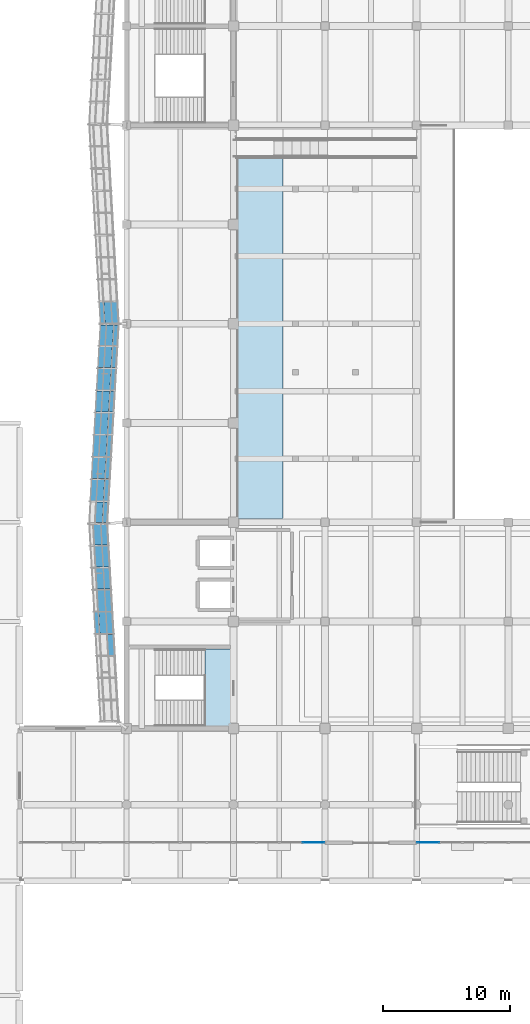
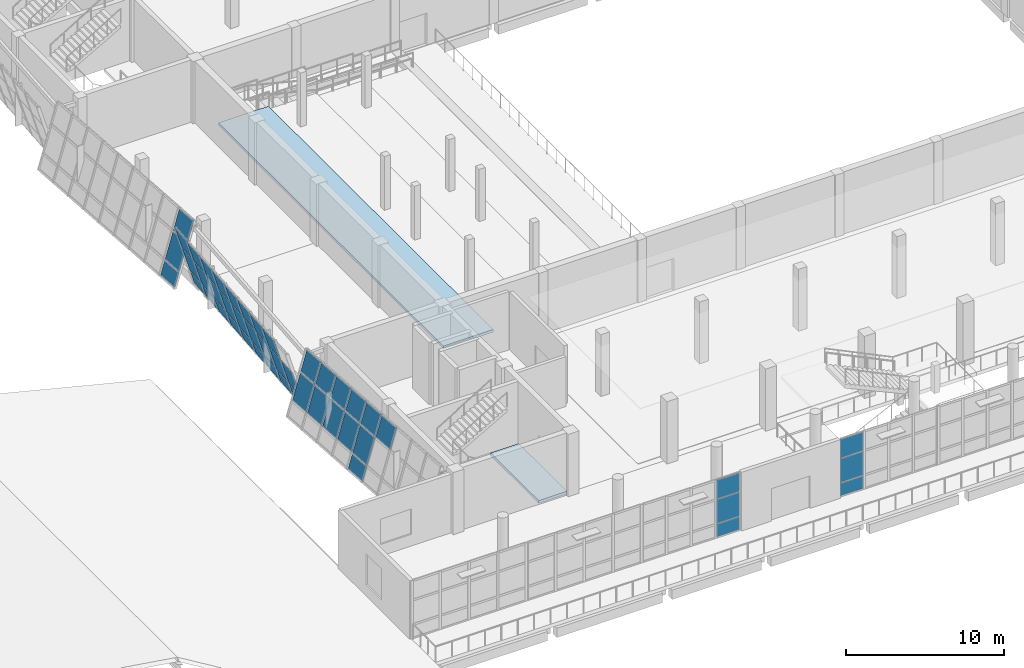
# One storey, part 49 of 79: 47 plates, 2 slabs, 6 elements without a shape of their own.
"""IFC4 building model written with IfcOpenShell, lengths in metres."""

from ifc_helpers import new_model, si_unit, direction, frame, origin, place, context, subcontext, project, spatial, polyline, outline, extrude, material, layer, layer_set, type_object, element, aggregate, save


model = new_model("IFC4")

# Units and contexts
model_context = context("Model", 3, precision=1e-05, world=origin(), true_north=direction((0.0, 1.0)))
body_context = subcontext(model_context, "Body", "Model", "MODEL_VIEW")
ifc_project = project(units=[si_unit("LENGTHUNIT", "METRE"), si_unit("AREAUNIT", "SQUARE_METRE"), si_unit("VOLUMEUNIT", "CUBIC_METRE"), si_unit("PLANEANGLEUNIT", "RADIAN"), si_unit("MASSUNIT", "GRAM", prefix="KILO")], contexts=[model_context])

# Site, building, storey
site_placement = place(None, origin())
site = spatial("IfcSite", under=ifc_project, at=site_placement, CompositionType="ELEMENT")
building_placement = place(site_placement, origin())
building = spatial("IfcBuilding", under=site, at=building_placement, Name="Pellamere Symphony Hall", CompositionType="ELEMENT")
storey_placement = place(building_placement, frame((0.0, 0.0, 10.199951171875)))
storey = spatial("IfcBuildingStorey", under=building, at=storey_placement, Name="L02", CompositionType="ELEMENT", Elevation=10.199951171875)

# Curtain wall, plates
ifc_material_1 = material(Name="Thermally Broken Anodised Aluminium 6063-T6 Curtain Wall", Category="aluminium")
curtain_wall_type_1 = type_object("IfcCurtainWallType", Name="Curtain Wall CW-01 (Tilted Faceted Crystal Low-Iron Curtain Wall)", PredefinedType="NOTDEFINED", material=ifc_material_1)
curtain_wall_1_placement = place(storey_placement, origin())
curtain_wall_1 = element("IfcCurtainWall", 1, at=curtain_wall_1_placement, inside=storey, type_object=curtain_wall_type_1, Name="Crystal Faceted Curtain Wall CW-CR18 (L02)", PredefinedType="NOTDEFINED")
ifc_material_2 = material(Name="Pre-Weathered Quartz-Zinc Faceted Cladding Cassette", Category="aluminium")
ifc_layer_1 = layer(ifc_material_2, 0.0400390625, Name="Pre-Weathered Quartz-Zinc Faceted Cladding Cassette")
ifc_layer_set_1 = layer_set([ifc_layer_1], Name="Pre-Weathered Quartz-Zinc Faceted Cladding Cassette")
plate_type_1 = type_object("IfcPlateType", Name="Facade Panel CL-01 40mm", PredefinedType="CURTAIN_PANEL", material=ifc_layer_set_1)
plate_1_placement = place(storey_placement, frame((47.784423828125, 46.025146484375, 1.18798828125), z_axis=(-0.957348500878, -0.05522055359, 0.283609834682), x_axis=(0.057585007883, -0.99834060664, 0.0)))
plate_1 = element("IfcPlate", 2, at=plate_1_placement, type_object=plate_type_1, Name="CW1-054 crystal glass panel 1.2", PredefinedType="CURTAIN_PANEL", context=body_context, shape_type="SweptSolid", body=[
    extrude(outline(polyline([(0.0, 0.0), (1.6237882534451713, 0.0), (1.6569530565692072, 2.0273346457190367), (0.03316480312403584, 2.0273346457190367), (0.0, 0.0)])), origin(), (0.0, 0.0, -1.0), 0.0400390625),
])
plate_2_placement = place(storey_placement, frame((48.381591796875, 46.025146484375, 3.2041015625), z_axis=(-0.95735525195, -0.055220942996, 0.283586969057), x_axis=(0.057585007883, -0.99834060664, 0.0)))
plate_2 = element("IfcPlate", 3, at=plate_2_placement, type_object=plate_type_1, Name="CW1-054 crystal glass panel 1.3", PredefinedType="CURTAIN_PANEL", context=body_context, shape_type="SweptSolid", body=[
    extrude(outline(polyline([(0.0, 0.0), (1.6237882534451713, 0.0), (1.6497830482634597, 1.5891665981147254), (0.02599479481828837, 1.5891665981147254), (0.0, 0.0)])), origin(), (0.0, 0.0, -1.0), 0.0400390625),
])
plate_3_placement = place(storey_placement, frame((47.88232421875, 44.329345703125, 1.18798828125), z_axis=(-0.957380265181, -0.055238896666, 0.283499016112), x_axis=(0.057602168051, -0.998339616682, 0.0)))
plate_3 = element("IfcPlate", 4, at=plate_3_placement, type_object=plate_type_1, Name="CW1-054 crystal glass panel 2.2", PredefinedType="CURTAIN_PANEL", context=body_context, shape_type="SweptSolid", body=[
    extrude(outline(polyline([(0.0, 0.0), (1.6614500501978287, 3.469446951953614e-18), (1.694610673309276, 2.0272653718407074), (0.03316062311144734, 2.0272653718407074), (0.0, 0.0)])), origin(), (0.0, 0.0, -1.0), 0.0400390625),
])
plate_4_placement = place(storey_placement, frame((48.4794921875, 44.329345703125, 3.2041015625), z_axis=(-0.957354378978, -0.055237403085, 0.283586710466), x_axis=(0.057602168051, -0.998339616682, 0.0)))
plate_4 = element("IfcPlate", 5, at=plate_4_placement, type_object=plate_type_1, Name="CW1-054 crystal glass panel 2.3", PredefinedType="CURTAIN_PANEL", context=body_context, shape_type="SweptSolid", body=[
    extrude(outline(polyline([(0.0, 0.0), (1.6614500501978287, -3.469446951953614e-18), (1.687452591390817, 1.5891664713845053), (0.02600254119298818, 1.5891664713845053), (0.0, 0.0)])), origin(), (0.0, 0.0, -1.0), 0.0400390625),
])
plate_5_placement = place(storey_placement, frame((47.982177734375, 42.595947265625, 1.18798828125), z_axis=(-0.957347197893, -0.055245120208, 0.283609448679), x_axis=(0.057610619545, -0.998339129012, 0.0)))
plate_5 = element("IfcPlate", 6, at=plate_5_placement, type_object=plate_type_1, Name="CW1-054 crystal glass panel 3.2", PredefinedType="CURTAIN_PANEL", context=body_context, shape_type="SweptSolid", body=[
    extrude(outline(polyline([(0.0, 0.0), (1.6612063149993754, 6.938893903907228e-18), (1.6943858685901516, 2.0273344043651265), (0.03317955359077607, 2.0273344043651265), (0.0, 0.0)])), origin(), (0.0, 0.0, -1.0), 0.0400390625),
])
plate_6_placement = place(storey_placement, frame((48.579345703125, 42.595947265625, 3.2041015625), z_axis=(-0.957353948937, -0.055245509787, 0.28358658308), x_axis=(0.057610619545, -0.998339129012, 0.0)))
plate_6 = element("IfcPlate", 7, at=plate_6_placement, type_object=plate_type_1, Name="CW1-054 crystal glass panel 3.3", PredefinedType="CURTAIN_PANEL", context=body_context, shape_type="SweptSolid", body=[
    extrude(outline(polyline([(0.0, 0.0), (1.6612063149993754, 0.0), (1.68721267133229, 1.5891664089551663), (0.02600635633291435, 1.5891664089551663), (0.0, 0.0)])), origin(), (0.0, 0.0, -1.0), 0.0400390625),
])
plate_7_placement = place(storey_placement, frame((48.082275390625, 40.862548828125, 1.18798828125), z_axis=(-0.957367242492, -0.055175809721, 0.283555273316), x_axis=(0.057543268756, -0.998343013109, 1.9948157e-05)))
plate_7 = element("IfcPlate", 8, at=plate_7_placement, type_object=plate_type_1, Name="CW1-054 crystal glass panel 4.2", PredefinedType="CURTAIN_PANEL", context=body_context, shape_type="SweptSolid", body=[
    extrude(outline(polyline([(0.0, 0.0), (1.661206310888601, 0.0), (1.6943718076903342, 2.027265288745848), (0.033179545451331935, 2.027334401129952), (0.0, 0.0)])), origin(), (0.0, 0.0, -1.0), 0.0400390625),
])
plate_8_placement = place(storey_placement, frame((48.679443359375, 40.862548828125, 3.2041015625), z_axis=(-0.957353948937, -0.055245509787, 0.28358658308), x_axis=(0.057610619545, -0.998339129012, 0.0)))
plate_8 = element("IfcPlate", 9, at=plate_8_placement, type_object=plate_type_1, Name="CW1-054 crystal glass panel 4.3", PredefinedType="CURTAIN_PANEL", context=body_context, shape_type="SweptSolid", body=[
    extrude(outline(polyline([(0.0, 0.0), (1.6612063149993754, 0.0), (1.68721267133229, 1.5891664089551663), (0.02600635633291435, 1.5891664089551663), (0.0, 0.0)])), origin(), (0.0, 0.0, -1.0), 0.0400390625),
])
plate_9_placement = place(storey_placement, frame((47.8515625, 39.129150390625, 0.072021484375), z_axis=(-0.957349655397, -0.055245262022, 0.283601125412), x_axis=(0.057610619545, -0.998339129012, 0.0)))
plate_9 = element("IfcPlate", 10, at=plate_9_placement, type_object=plate_type_1, Name="CW1-054 crystal glass panel 5.1", PredefinedType="CURTAIN_PANEL", context=body_context, shape_type="SweptSolid", body=[
    extrude(outline(polyline([(0.0, 0.0), (1.6612063149993754, 3.469446951953614e-18), (1.67902678740273, 1.0888970223981924), (0.017820472403354506, 1.0888970223981924), (0.0, 0.0)])), origin(), (0.0, 0.0, -1.0), 0.0400390625),
])
plate_10_placement = place(storey_placement, frame((48.18212890625, 39.129150390625, 1.18798828125), z_axis=(-0.957347197893, -0.055245120208, 0.283609448679), x_axis=(0.057610619545, -0.998339129012, 0.0)))
plate_10 = element("IfcPlate", 11, at=plate_10_placement, type_object=plate_type_1, Name="CW1-054 crystal glass panel 5.2", PredefinedType="CURTAIN_PANEL", context=body_context, shape_type="SweptSolid", body=[
    extrude(outline(polyline([(0.0, 0.0), (1.6612063149993754, 6.938893903907228e-18), (1.6943858685901516, 2.0273344043651265), (0.03317955359077607, 2.0273344043651265), (0.0, 0.0)])), origin(), (0.0, 0.0, -1.0), 0.0400390625),
])
plate_11_placement = place(storey_placement, frame((48.779296875, 39.129150390625, 3.2041015625), z_axis=(-0.957312300753, -0.055243106418, 0.283727612367), x_axis=(0.057610619545, -0.998339129012, 0.0)))
plate_11 = element("IfcPlate", 12, at=plate_11_placement, type_object=plate_type_1, Name="CW1-054 crystal glass panel 5.3", PredefinedType="CURTAIN_PANEL", context=body_context, shape_type="SweptSolid", body=[
    extrude(outline(polyline([(0.0, 0.0), (1.6612063149993754, -3.469446951953614e-18), (1.6872267364249525, 1.5892355461576588), (0.026020421425576826, 1.5892355461576588), (0.0, 0.0)])), origin(), (0.0, 0.0, -1.0), 0.0400390625),
])
plate_12_placement = place(storey_placement, frame((48.87939453125, 37.39599609375, 3.2041015625), z_axis=(-0.957353948937, -0.055245509787, 0.28358658308), x_axis=(0.057610619545, -0.998339129012, 0.0)))
plate_12 = element("IfcPlate", 13, at=plate_12_placement, type_object=plate_type_1, Name="CW1-054 crystal glass panel 6.3", PredefinedType="CURTAIN_PANEL", context=body_context, shape_type="SweptSolid", body=[
    extrude(outline(polyline([(0.0, 0.0), (1.6612063149993754, 0.0), (1.68721267133229, 1.5891664089551663), (0.02600635633291435, 1.5891664089551663), (0.0, 0.0)])), origin(), (0.0, 0.0, -1.0), 0.0400390625),
])
aggregate(curtain_wall_1, [plate_1, plate_2, plate_3, plate_4, plate_5, plate_6, plate_7, plate_8, plate_9, plate_10, plate_11, plate_12])

curtain_wall_type_2 = type_object("IfcCurtainWallType", Name="Curtain Wall CW-02 (Winter-Garden South Concourse Curtain Wall)", PredefinedType="NOTDEFINED", material=ifc_material_1)
curtain_wall_2_placement = place(storey_placement, origin())
curtain_wall_2 = element("IfcCurtainWall", 14, at=curtain_wall_2_placement, inside=storey, type_object=curtain_wall_type_2, Name="Winter-Garden South Curtain Wall (L02 Bay 5)", PredefinedType="NOTDEFINED")
ifc_material_3 = material(Name="Triple Low-E Argon Acoustic Glazing 36mm", Category="glass")
ifc_layer_2 = layer(ifc_material_3, 0.035888671875, Name="Triple Low-E Argon Acoustic Glazing 36mm")
ifc_layer_set_2 = layer_set([ifc_layer_2], Name="Triple Low-E Argon Acoustic Glazing 36mm")
plate_type_2 = type_object("IfcPlateType", Name="Facade Panel GL-01 36mm", PredefinedType="CURTAIN_PANEL", material=ifc_layer_set_2)
plate_13_placement = place(storey_placement, frame((73.264892578125, 21.0, 0.06494140625), z_axis=(0.0, -1.0, 0.0), x_axis=(1.0, 0.0, 0.0)))
plate_13 = element("IfcPlate", 15, at=plate_13_placement, type_object=plate_type_2, Name="CW2-080 crystal glass panel 1.1", PredefinedType="CURTAIN_PANEL", context=body_context, shape_type="SweptSolid", body=[
    extrude(outline(polyline([(0.0, 0.0), (1.70263671875, 0.0), (1.70263671875, 0.982666015625), (0.0, 0.982666015625), (0.0, 0.0)])), origin(), (0.0, 0.0, -1.0), 0.035888671875),
])
plate_14_placement = place(storey_placement, frame((73.264892578125, 21.0, 1.112548828125), z_axis=(0.0, -1.0, 0.0), x_axis=(1.0, 0.0, 0.0)))
plate_14 = element("IfcPlate", 16, at=plate_14_placement, type_object=plate_type_2, Name="CW2-080 crystal glass panel 1.2", PredefinedType="CURTAIN_PANEL", context=body_context, shape_type="SweptSolid", body=[
    extrude(outline(polyline([(0.0, 0.0), (1.70263671875, 0.0), (1.70263671875, 1.824951171875), (0.0, 1.824951171875), (0.0, 0.0)])), origin(), (0.0, 0.0, -1.0), 0.035888671875),
])
plate_15_placement = place(storey_placement, frame((73.264892578125, 21.0, 3.00244140625), z_axis=(0.0, -1.0, 0.0), x_axis=(1.0, 0.0, 0.0)))
plate_15 = element("IfcPlate", 17, at=plate_15_placement, type_object=plate_type_2, Name="CW2-080 crystal glass panel 1.3", PredefinedType="CURTAIN_PANEL", context=body_context, shape_type="SweptSolid", body=[
    extrude(outline(polyline([(0.0, 0.0), (1.70263671875, 0.0), (1.70263671875, 1.4326171875), (0.0, 1.4326171875), (0.0, 0.0)])), origin(), (0.0, 0.0, -1.0), 0.035888671875),
])
aggregate(curtain_wall_2, [plate_13, plate_14, plate_15])

curtain_wall_3_placement = place(storey_placement, origin())
curtain_wall_3 = element("IfcCurtainWall", 18, at=curtain_wall_3_placement, inside=storey, type_object=curtain_wall_type_1, Name="Crystal Faceted Curtain Wall CW-CR16 (L02)", PredefinedType="NOTDEFINED")
ifc_material_4 = material(Name="Triple Laminated Acoustic Crystal Glazing 42mm", Category="glass")
ifc_layer_3 = layer(ifc_material_4, 0.0419921875, Name="Triple Laminated Acoustic Crystal Glazing 42mm")
ifc_layer_set_3 = layer_set([ifc_layer_3], Name="Triple Laminated Acoustic Crystal Glazing 42mm")
plate_type_3 = type_object("IfcPlateType", Name="Facade Panel GL-02 42mm", PredefinedType="CURTAIN_PANEL", material=ifc_layer_set_3)
plate_16_placement = place(storey_placement, frame((48.251708984375, 63.507080078125, 0.072021484375), z_axis=(-0.957370974675, -0.054841920924, 0.283607440943), x_axis=(0.057190120561, -0.998363305671, 0.0)))
plate_16 = element("IfcPlate", 19, at=plate_16_placement, type_object=plate_type_3, Name="CW1-044 crystal glass panel 9.1", PredefinedType="CURTAIN_PANEL", context=body_context, shape_type="SweptSolid", body=[
    extrude(outline(polyline([(0.0, 0.0), (1.6350002143288105, 0.0), (1.652690615391066, 1.088899143325306), (0.017690401062255792, 1.088899143325306), (0.0, 0.0)])), origin(), (0.0, 0.0, -1.0), 0.0419921875),
])
plate_17_placement = place(storey_placement, frame((48.582275390625, 63.507080078125, 1.18798828125), z_axis=(-0.957368517007, -0.05484178014, 0.283615764363), x_axis=(0.057190120561, -0.998363305671, 0.0)))
plate_17 = element("IfcPlate", 20, at=plate_17_placement, type_object=plate_type_3, Name="CW1-044 crystal glass panel 9.2", PredefinedType="CURTAIN_PANEL", context=body_context, shape_type="SweptSolid", body=[
    extrude(outline(polyline([(0.0, 0.0), (1.6350002143288105, 0.0), (1.667937590892237, 2.0273383533895144), (0.03293737656342653, 2.0273383533895144), (0.0, 0.0)])), origin(), (0.0, 0.0, -1.0), 0.0419921875),
])
plate_18_placement = place(storey_placement, frame((49.179443359375, 63.507080078125, 3.2041015625), z_axis=(-0.957375268502, -0.054842166891, 0.283592898344), x_axis=(0.057190120561, -0.998363305671, 0.0)))
plate_18 = element("IfcPlate", 21, at=plate_18_placement, type_object=plate_type_3, Name="CW1-044 crystal glass panel 9.3", PredefinedType="CURTAIN_PANEL", context=body_context, shape_type="SweptSolid", body=[
    extrude(outline(polyline([(0.0, 0.0), (1.6350002143288105, 0.0), (1.6608167506856462, 1.5891695039773792), (0.0258165363568358, 1.5891695039773792), (0.0, 0.0)])), origin(), (0.0, 0.0, -1.0), 0.0419921875),
])
aggregate(curtain_wall_3, [plate_16, plate_17, plate_18])

curtain_wall_4_placement = place(storey_placement, origin())
curtain_wall_4 = element("IfcCurtainWall", 22, at=curtain_wall_4_placement, inside=storey, type_object=curtain_wall_type_1, Name="Crystal Faceted Curtain Wall CW-CR17 (L02)", PredefinedType="NOTDEFINED")
plate_19_placement = place(storey_placement, frame((49.724365234375, 61.72509765625, 0.072021484375), z_axis=(0.957370543914, -0.054850099973, 0.283607313336), x_axis=(-0.057198647566, -0.998362817175, 0.0)))
plate_19 = element("IfcPlate", 23, at=plate_19_placement, type_object=plate_type_3, Name="CW1-049 crystal glass panel 1.1", PredefinedType="CURTAIN_PANEL", context=body_context, shape_type="SweptSolid", body=[
    extrude(outline(polyline([(0.0, 0.0), (1.6347564733470132, 3.469446951953614e-18), (1.652449512034991, -1.0888991004708903), (0.01769303868797779, -1.0888991004708903), (0.0, 0.0)])), origin(), (0.0, 0.0, -1.0), 0.0419921875),
])
plate_20_placement = place(storey_placement, frame((49.393798828125, 61.72509765625, 1.18798828125), z_axis=(0.957368086249, -0.054849959167, 0.283615636753), x_axis=(-0.057198647566, -0.998362817175, 0.0)))
plate_20 = element("IfcPlate", 24, at=plate_20_placement, type_object=plate_type_3, Name="CW1-049 crystal glass panel 1.2", PredefinedType="CURTAIN_PANEL", context=body_context, shape_type="SweptSolid", body=[
    extrude(outline(polyline([(0.0, 0.0), (1.6347564733470132, 0.0), (1.6676987608489386, -2.027338273597459), (0.032942287501925495, -2.027338273597459), (0.0, 0.0)])), origin(), (0.0, 0.0, -1.0), 0.0419921875),
])
plate_21_placement = place(storey_placement, frame((48.796630859375, 61.72509765625, 3.2041015625), z_axis=(0.957374837735, -0.054850345976, 0.283592770742), x_axis=(-0.057198647566, -0.998362817175, 0.0)))
plate_21 = element("IfcPlate", 25, at=plate_21_placement, type_object=plate_type_3, Name="CW1-049 crystal glass panel 1.3", PredefinedType="CURTAIN_PANEL", context=body_context, shape_type="SweptSolid", body=[
    extrude(outline(polyline([(0.0, 0.0), (1.6347564733470132, 3.469446951953614e-18), (1.6605768589303367, -1.5891694414408748), (0.025820385583323543, -1.5891694414408748), (0.0, 0.0)])), origin(), (0.0, 0.0, -1.0), 0.0419921875),
])
plate_22_placement = place(storey_placement, frame((49.62646484375, 60.01806640625, 0.072021484375), z_axis=(0.95742957948, -0.05488628183, 0.283400946369), x_axis=(-0.057232737422, -0.998360863499, 0.0)))
plate_22 = element("IfcPlate", 26, at=plate_22_placement, type_object=plate_type_3, Name="CW1-049 crystal glass panel 2.1", PredefinedType="CURTAIN_PANEL", context=body_context, shape_type="SweptSolid", body=[
    extrude(outline(polyline([(0.0, 0.0), (1.6721745160346768, 0.0), (1.6898641267710717, -1.0888298277192388), (0.017689610736394717, -1.0888298277192388), (0.0, 0.0)])), origin(), (0.0, 0.0, -1.0), 0.0419921875),
])
plate_23_placement = place(storey_placement, frame((49.2958984375, 60.01806640625, 1.18798828125), z_axis=(0.957399002665, -0.054884528962, 0.283504564647), x_axis=(-0.057232737422, -0.998360863499, 0.0)))
plate_23 = element("IfcPlate", 27, at=plate_23_placement, type_object=plate_type_3, Name="CW1-049 crystal glass panel 2.2", PredefinedType="CURTAIN_PANEL", context=body_context, shape_type="SweptSolid", body=[
    extrude(outline(polyline([(0.0, 0.0), (1.6721745160346768, 0.0), (1.7051224639939333, -2.0272688394771072), (0.03294794795925651, -2.0272688394771072), (0.0, 0.0)])), origin(), (0.0, 0.0, -1.0), 0.0419921875),
])
plate_24_placement = place(storey_placement, frame((48.69873046875, 60.01806640625, 3.2041015625), z_axis=(0.957373114942, -0.054883044905, 0.283592260418), x_axis=(-0.057232737422, -0.998360863499, 0.0)))
plate_24 = element("IfcPlate", 28, at=plate_24_placement, type_object=plate_type_3, Name="CW1-049 crystal glass panel 2.3", PredefinedType="CURTAIN_PANEL", context=body_context, shape_type="SweptSolid", body=[
    extrude(outline(polyline([(0.0, 0.0), (1.6721745160346768, -3.469446951953614e-18), (1.6980102903250354, -1.5891691913348909), (0.025835774290358476, -1.5891691913348909), (0.0, 0.0)])), origin(), (0.0, 0.0, -1.0), 0.0419921875),
])
plate_25_placement = place(storey_placement, frame((49.526611328125, 58.273681640625, 0.072021484375), z_axis=(0.95736924277, -0.054874797948, 0.283606927891), x_axis=(-0.057224396245, -0.998361341637, 0.0)))
plate_25 = element("IfcPlate", 29, at=plate_25_placement, type_object=plate_type_3, Name="CW1-049 crystal glass panel 3.1", PredefinedType="CURTAIN_PANEL", context=body_context, shape_type="SweptSolid", body=[
    extrude(outline(polyline([(0.0, 0.0), (1.6724182565382377, 3.469446951953614e-18), (1.6901192599666512, -1.0888989710262178), (0.01770100342841346, -1.0888989710262178), (0.0, 0.0)])), origin(), (0.0, 0.0, -1.0), 0.0419921875),
])
plate_26_placement = place(storey_placement, frame((49.196044921875, 58.273681640625, 1.18798828125), z_axis=(0.957366785115, -0.054874657079, 0.283615251298), x_axis=(-0.057224396245, -0.998361341637, 0.0)))
plate_26 = element("IfcPlate", 30, at=plate_26_placement, type_object=plate_type_3, Name="CW1-049 crystal glass panel 3.2", PredefinedType="CURTAIN_PANEL", context=body_context, shape_type="SweptSolid", body=[
    extrude(outline(polyline([(0.0, 0.0), (1.6724182565382377, -3.469446951953614e-18), (1.7053753734187647, -2.0273380325801393), (0.03295711688052672, -2.0273380325801393), (0.0, 0.0)])), origin(), (0.0, 0.0, -1.0), 0.0419921875),
])
plate_27_placement = place(storey_placement, frame((48.598876953125, 58.273681640625, 3.2041015625), z_axis=(0.957373536574, -0.054875044062, 0.283592385313), x_axis=(-0.057224396245, -0.998361341637, 0.0)))
plate_27 = element("IfcPlate", 31, at=plate_27_placement, type_object=plate_type_3, Name="CW1-049 crystal glass panel 3.3", PredefinedType="CURTAIN_PANEL", context=body_context, shape_type="SweptSolid", body=[
    extrude(outline(polyline([(0.0, 0.0), (1.6724182565382377, 0.0), (1.6982502654878324, -1.5891692525451158), (0.025832008949594705, -1.5891692525451158), (0.0, 0.0)])), origin(), (0.0, 0.0, -1.0), 0.0419921875),
])
plate_28_placement = place(storey_placement, frame((49.426513671875, 56.529296875, 0.072021484375), z_axis=(0.95736924277, -0.054874797948, 0.283606927891), x_axis=(-0.057224396245, -0.998361341637, 0.0)))
plate_28 = element("IfcPlate", 32, at=plate_28_placement, type_object=plate_type_3, Name="CW1-049 crystal glass panel 4.1", PredefinedType="CURTAIN_PANEL", context=body_context, shape_type="SweptSolid", body=[
    extrude(outline(polyline([(0.0, 0.0), (1.6724182565382377, 3.469446951953614e-18), (1.6901192599666512, -1.0888989710262178), (0.01770100342841346, -1.0888989710262178), (0.0, 0.0)])), origin(), (0.0, 0.0, -1.0), 0.0419921875),
])
plate_29_placement = place(storey_placement, frame((49.095947265625, 56.529296875, 1.18798828125), z_axis=(0.957366785115, -0.054874657079, 0.283615251298), x_axis=(-0.057224396245, -0.998361341637, 0.0)))
plate_29 = element("IfcPlate", 33, at=plate_29_placement, type_object=plate_type_3, Name="CW1-049 crystal glass panel 4.2", PredefinedType="CURTAIN_PANEL", context=body_context, shape_type="SweptSolid", body=[
    extrude(outline(polyline([(0.0, 0.0), (1.6724182565382377, -3.469446951953614e-18), (1.7053753734187647, -2.0273380325801393), (0.03295711688052672, -2.0273380325801393), (0.0, 0.0)])), origin(), (0.0, 0.0, -1.0), 0.0419921875),
])
plate_30_placement = place(storey_placement, frame((48.498779296875, 56.529296875, 3.2041015625), z_axis=(0.957373536574, -0.054875044062, 0.283592385313), x_axis=(-0.057224396245, -0.998361341637, 0.0)))
plate_30 = element("IfcPlate", 34, at=plate_30_placement, type_object=plate_type_3, Name="CW1-049 crystal glass panel 4.3", PredefinedType="CURTAIN_PANEL", context=body_context, shape_type="SweptSolid", body=[
    extrude(outline(polyline([(0.0, 0.0), (1.6724182565382377, 0.0), (1.6982502654878324, -1.5891692525451158), (0.025832008949594705, -1.5891692525451158), (0.0, 0.0)])), origin(), (0.0, 0.0, -1.0), 0.0419921875),
])
plate_31_placement = place(storey_placement, frame((49.32666015625, 54.78466796875, 0.072021484375), z_axis=(0.957368821144, -0.054882798755, 0.28360680299), x_axis=(-0.057232737422, -0.998360863499, 0.0)))
plate_31 = element("IfcPlate", 35, at=plate_31_placement, type_object=plate_type_3, Name="CW1-049 crystal glass panel 5.1", PredefinedType="CURTAIN_PANEL", context=body_context, shape_type="SweptSolid", body=[
    extrude(outline(polyline([(0.0, 0.0), (1.6721745160346768, -3.469446951953614e-18), (1.6898780996073564, -1.0888989290806625), (0.01770358357267939, -1.0888989290806625), (0.0, 0.0)])), origin(), (0.0, 0.0, -1.0), 0.0419921875),
])
plate_32_placement = place(storey_placement, frame((48.995849609375, 54.78466796875, 1.18798828125), z_axis=(0.957399002665, -0.054884528962, 0.283504564647), x_axis=(-0.057232737422, -0.998360863499, 0.0)))
plate_32 = element("IfcPlate", 36, at=plate_32_placement, type_object=plate_type_3, Name="CW1-049 crystal glass panel 5.2", PredefinedType="CURTAIN_PANEL", context=body_context, shape_type="SweptSolid", body=[
    extrude(outline(polyline([(0.0, 0.0), (1.6721745160346768, 0.0), (1.7051224639939333, -2.0272688394771072), (0.03294794795925651, -2.0272688394771072), (0.0, 0.0)])), origin(), (0.0, 0.0, -1.0), 0.0419921875),
])
plate_33_placement = place(storey_placement, frame((48.39892578125, 54.78466796875, 3.2041015625), z_axis=(0.957331464257, -0.054880657208, 0.283733292034), x_axis=(-0.057232737422, -0.998360863499, 0.0)))
plate_33 = element("IfcPlate", 37, at=plate_33_placement, type_object=plate_type_3, Name="CW1-049 crystal glass panel 5.3", PredefinedType="CURTAIN_PANEL", context=body_context, shape_type="SweptSolid", body=[
    extrude(outline(polyline([(0.0, 0.0), (1.6721745160346768, 3.469446951953614e-18), (1.69802426316132, -1.589238331426626), (0.02584974712664315, -1.589238331426626), (0.0, 0.0)])), origin(), (0.0, 0.0, -1.0), 0.0419921875),
])
plate_34_placement = place(storey_placement, frame((49.2265625, 53.040283203125, 0.072021484375), z_axis=(0.957368821144, -0.054882798755, 0.28360680299), x_axis=(-0.057232737422, -0.998360863499, 0.0)))
plate_34 = element("IfcPlate", 38, at=plate_34_placement, type_object=plate_type_3, Name="CW1-049 crystal glass panel 6.1", PredefinedType="CURTAIN_PANEL", context=body_context, shape_type="SweptSolid", body=[
    extrude(outline(polyline([(0.0, 0.0), (1.6721745160346768, -3.469446951953614e-18), (1.6898780996073564, -1.0888989290806625), (0.01770358357267939, -1.0888989290806625), (0.0, 0.0)])), origin(), (0.0, 0.0, -1.0), 0.0419921875),
])
plate_35_placement = place(storey_placement, frame((48.89599609375, 53.040283203125, 1.18798828125), z_axis=(0.957366363492, -0.054882657866, 0.283615126394), x_axis=(-0.057232737422, -0.998360863499, 0.0)))
plate_35 = element("IfcPlate", 39, at=plate_35_placement, type_object=plate_type_3, Name="CW1-049 crystal glass panel 6.2", PredefinedType="CURTAIN_PANEL", context=body_context, shape_type="SweptSolid", body=[
    extrude(outline(polyline([(0.0, 0.0), (1.6721745160346768, 0.0), (1.705136436830218, -2.027337954480322), (0.03296192079554119, -2.027337954480322), (0.0, 0.0)])), origin(), (0.0, 0.0, -1.0), 0.0419921875),
])
plate_36_placement = place(storey_placement, frame((48.298828125, 53.040283203125, 3.2041015625), z_axis=(0.957373114942, -0.054883044905, 0.283592260418), x_axis=(-0.057232737422, -0.998360863499, 0.0)))
plate_36 = element("IfcPlate", 40, at=plate_36_placement, type_object=plate_type_3, Name="CW1-049 crystal glass panel 6.3", PredefinedType="CURTAIN_PANEL", context=body_context, shape_type="SweptSolid", body=[
    extrude(outline(polyline([(0.0, 0.0), (1.6721745160346768, -3.469446951953614e-18), (1.6980102903250354, -1.5891691913348909), (0.025835774290358476, -1.5891691913348909), (0.0, 0.0)])), origin(), (0.0, 0.0, -1.0), 0.0419921875),
])
plate_37_placement = place(storey_placement, frame((49.12646484375, 51.2958984375, 0.072021484375), z_axis=(0.957430001187, -0.054878280518, 0.283401071195), x_axis=(-0.057224396245, -0.998361341637, 0.0)))
plate_37 = element("IfcPlate", 41, at=plate_37_placement, type_object=plate_type_3, Name="CW1-049 crystal glass panel 7.1", PredefinedType="CURTAIN_PANEL", context=body_context, shape_type="SweptSolid", body=[
    extrude(outline(polyline([(0.0, 0.0), (1.6724182565382377, 0.0), (1.6901052891667867, -1.0888298696012657), (0.01768703262854889, -1.0888298696012657), (0.0, 0.0)])), origin(), (0.0, 0.0, -1.0), 0.0419921875),
])
plate_38_placement = place(storey_placement, frame((48.7958984375, 51.2958984375, 1.18798828125), z_axis=(0.957399424332, -0.054876527904, 0.283504689511), x_axis=(-0.057224396245, -0.998361341637, 0.0)))
plate_38 = element("IfcPlate", 42, at=plate_38_placement, type_object=plate_type_3, Name="CW1-049 crystal glass panel 7.2", PredefinedType="CURTAIN_PANEL", context=body_context, shape_type="SweptSolid", body=[
    extrude(outline(polyline([(0.0, 0.0), (1.6724182565382377, 3.469446951953614e-18), (1.7053614026189, -2.0272689175133847), (0.03294314608066215, -2.0272689175133847), (0.0, 0.0)])), origin(), (0.0, 0.0, -1.0), 0.0419921875),
])
plate_39_placement = place(storey_placement, frame((48.19873046875, 51.2958984375, 3.2041015625), z_axis=(0.957373536574, -0.054875044062, 0.283592385313), x_axis=(-0.057224396245, -0.998361341637, 0.0)))
plate_39 = element("IfcPlate", 43, at=plate_39_placement, type_object=plate_type_3, Name="CW1-049 crystal glass panel 7.3", PredefinedType="CURTAIN_PANEL", context=body_context, shape_type="SweptSolid", body=[
    extrude(outline(polyline([(0.0, 0.0), (1.6724182565382377, 0.0), (1.6982502654878324, -1.5891692525451158), (0.025832008949594705, -1.5891692525451158), (0.0, 0.0)])), origin(), (0.0, 0.0, -1.0), 0.0419921875),
])
plate_40_placement = place(storey_placement, frame((49.026611328125, 49.551513671875, 0.072021484375), z_axis=(0.95736924277, -0.054874797948, 0.283606927891), x_axis=(-0.057224396245, -0.998361341637, 0.0)))
plate_40 = element("IfcPlate", 44, at=plate_40_placement, type_object=plate_type_3, Name="CW1-049 crystal glass panel 8.1", PredefinedType="CURTAIN_PANEL", context=body_context, shape_type="SweptSolid", body=[
    extrude(outline(polyline([(0.0, 0.0), (1.6724182565382377, 3.469446951953614e-18), (1.6901192599666512, -1.0888989710262178), (0.01770100342841346, -1.0888989710262178), (0.0, 0.0)])), origin(), (0.0, 0.0, -1.0), 0.0419921875),
])
plate_41_placement = place(storey_placement, frame((48.696044921875, 49.551513671875, 1.18798828125), z_axis=(0.957366785115, -0.054874657079, 0.283615251298), x_axis=(-0.057224396245, -0.998361341637, 0.0)))
plate_41 = element("IfcPlate", 45, at=plate_41_placement, type_object=plate_type_3, Name="CW1-049 crystal glass panel 8.2", PredefinedType="CURTAIN_PANEL", context=body_context, shape_type="SweptSolid", body=[
    extrude(outline(polyline([(0.0, 0.0), (1.6724182565382377, -3.469446951953614e-18), (1.7053753734187647, -2.0273380325801393), (0.03295711688052672, -2.0273380325801393), (0.0, 0.0)])), origin(), (0.0, 0.0, -1.0), 0.0419921875),
])
plate_42_placement = place(storey_placement, frame((48.098876953125, 49.551513671875, 3.2041015625), z_axis=(0.957373536574, -0.054875044062, 0.283592385313), x_axis=(-0.057224396245, -0.998361341637, 0.0)))
plate_42 = element("IfcPlate", 46, at=plate_42_placement, type_object=plate_type_3, Name="CW1-049 crystal glass panel 8.3", PredefinedType="CURTAIN_PANEL", context=body_context, shape_type="SweptSolid", body=[
    extrude(outline(polyline([(0.0, 0.0), (1.6724182565382377, 0.0), (1.6982502654878324, -1.5891692525451158), (0.025832008949594705, -1.5891692525451158), (0.0, 0.0)])), origin(), (0.0, 0.0, -1.0), 0.0419921875),
])
plate_43_placement = place(storey_placement, frame((48.926513671875, 47.806884765625, 0.072021484375), z_axis=(0.957370543914, -0.054850099973, 0.283607313336), x_axis=(-0.057198647566, -0.998362817175, 0.0)))
plate_43 = element("IfcPlate", 47, at=plate_43_placement, type_object=plate_type_3, Name="CW1-049 crystal glass panel 9.1", PredefinedType="CURTAIN_PANEL", context=body_context, shape_type="SweptSolid", body=[
    extrude(outline(polyline([(0.0, 0.0), (1.6347564733470132, 3.469446951953614e-18), (1.652449512034991, -1.0888991004708903), (0.01769303868797779, -1.0888991004708903), (0.0, 0.0)])), origin(), (0.0, 0.0, -1.0), 0.0419921875),
])
plate_44_placement = place(storey_placement, frame((48.595947265625, 47.806884765625, 1.18798828125), z_axis=(0.957368086249, -0.054849959167, 0.283615636753), x_axis=(-0.057198647566, -0.998362817175, 0.0)))
plate_44 = element("IfcPlate", 48, at=plate_44_placement, type_object=plate_type_3, Name="CW1-049 crystal glass panel 9.2", PredefinedType="CURTAIN_PANEL", context=body_context, shape_type="SweptSolid", body=[
    extrude(outline(polyline([(0.0, 0.0), (1.6347564733470132, 0.0), (1.6676987608489386, -2.027338273597459), (0.032942287501925495, -2.027338273597459), (0.0, 0.0)])), origin(), (0.0, 0.0, -1.0), 0.0419921875),
])
aggregate(curtain_wall_4, [plate_19, plate_20, plate_21, plate_22, plate_23, plate_24, plate_25, plate_26, plate_27, plate_28, plate_29, plate_30, plate_31, plate_32, plate_33, plate_34, plate_35, plate_36, plate_37, plate_38, plate_39, plate_40, plate_41, plate_42, plate_43, plate_44])

curtain_wall_5_placement = place(storey_placement, origin())
curtain_wall_5 = element("IfcCurtainWall", 49, at=curtain_wall_5_placement, inside=storey, type_object=curtain_wall_type_2, Name="Winter-Garden South Curtain Wall (L02 Bay 3)", PredefinedType="NOTDEFINED")
ifc_material_5 = material(Name="Mineral-Wool Insulated Dark Zinc Spandrel Panel", Category="aluminium")
ifc_layer_4 = layer(ifc_material_5, 0.054931640625, Name="Mineral-Wool Insulated Dark Zinc Spandrel Panel")
ifc_layer_set_4 = layer_set([ifc_layer_4], Name="Mineral-Wool Insulated Dark Zinc Spandrel Panel")
plate_type_4 = type_object("IfcPlateType", Name="Facade Panel SP-02 55mm", PredefinedType="CURTAIN_PANEL", material=ifc_layer_set_4)
plate_45_placement = place(storey_placement, frame((64.232421875, 21.0, 0.06494140625), z_axis=(0.0, -1.0, 0.0), x_axis=(1.0, 0.0, 0.0)))
plate_45 = element("IfcPlate", 50, at=plate_45_placement, type_object=plate_type_4, Name="CW2-079 crystal glass panel 4.1", PredefinedType="CURTAIN_PANEL", context=body_context, shape_type="SweptSolid", body=[
    extrude(outline(polyline([(0.0, 0.0), (1.70263671875, 0.0), (1.70263671875, 0.982666015625), (0.0, 0.982666015625), (0.0, 0.0)])), origin(), (0.0, 0.0, -1.0), 0.054931640625),
])
plate_46_placement = place(storey_placement, frame((64.232421875, 21.0, 1.112548828125), z_axis=(0.0, -1.0, 0.0), x_axis=(1.0, 0.0, 0.0)))
plate_46 = element("IfcPlate", 51, at=plate_46_placement, type_object=plate_type_4, Name="CW2-079 crystal glass panel 4.2", PredefinedType="CURTAIN_PANEL", context=body_context, shape_type="SweptSolid", body=[
    extrude(outline(polyline([(0.0, 0.0), (1.70263671875, 0.0), (1.70263671875, 1.824951171875), (0.0, 1.824951171875), (0.0, 0.0)])), origin(), (0.0, 0.0, -1.0), 0.054931640625),
])
plate_47_placement = place(storey_placement, frame((64.232421875, 21.0, 3.00244140625), z_axis=(0.0, -1.0, 0.0), x_axis=(1.0, 0.0, 0.0)))
plate_47 = element("IfcPlate", 52, at=plate_47_placement, type_object=plate_type_4, Name="CW2-079 crystal glass panel 4.3", PredefinedType="CURTAIN_PANEL", context=body_context, shape_type="SweptSolid", body=[
    extrude(outline(polyline([(0.0, 0.0), (1.70263671875, 0.0), (1.70263671875, 1.4326171875), (0.0, 1.4326171875), (0.0, 0.0)])), origin(), (0.0, 0.0, -1.0), 0.054931640625),
])
aggregate(curtain_wall_5, [plate_45, plate_46, plate_47])

# Stair, slab
ifc_material_6 = material(Name="Concrete 40 MPa", Category="concrete")
stair_type = type_object("IfcStairType", Name="Stair ST-B W2050", PredefinedType="HALF_TURN_STAIR", material=ifc_material_6)
stair_placement = place(storey_placement, origin())
stair = element("IfcStair", 53, at=stair_placement, inside=storey, type_object=stair_type, Name="Exit Stair ST01-L02 (L02 to L03)", PredefinedType="HALF_TURN_STAIR")
ifc_layer_5 = layer(ifc_material_6, 0.219970703125, Name="Concrete 40 MPa")
ifc_layer_set_5 = layer_set([ifc_layer_5], Name="Concrete 40 MPa")
slab_type_1 = type_object("IfcSlabType", Name="Stair Landing SL-01 220mm", PredefinedType="LANDING", material=ifc_layer_set_5)
slab_1_placement = place(storey_placement, frame((0.0, 0.0, -0.219970703125)))
slab_1 = element("IfcSlab", 54, at=slab_1_placement, type_object=slab_type_1, Name="Stair ST01-L02 Bottom Landing (L02)", PredefinedType="LANDING", context=body_context, shape_type="SweptSolid", body=[
    extrude(outline(polyline([(56.574951171875, 30.159912109375), (58.639892578125, 30.159912109375), (58.639892578125, 36.239990234375), (56.574951171875, 36.239990234375), (56.574951171875, 30.159912109375)])), origin(), (0.0, 0.0, 1.0), 0.219970703125),
])
aggregate(stair, [slab_1])

# Slab
ifc_material_7 = material(Name="Precast concrete 40 MPa", Category="concrete")
ifc_layer_6 = layer(ifc_material_7, 0.199951171875, Name="Precast concrete 40 MPa")
ifc_layer_set_6 = layer_set([ifc_layer_6], Name="Precast concrete 40 MPa")
slab_type_2 = type_object("IfcSlabType", Name="Structural Slab ST-T2 200mm", PredefinedType="USERDEFINED", material=ifc_layer_set_6)
slab_2_placement = place(storey_placement, frame((0.0, 0.0, 0.93994140625)))
element("IfcSlab", 55, at=slab_2_placement, inside=storey, type_object=slab_type_2, Name="Stand Upper Circle Bay 4", ObjectType="SEATING TIER", PredefinedType="USERDEFINED", context=body_context, shape_type="SweptSolid", body=[
    extrude(outline(polyline([(62.699951171875, 46.5), (59.050048828125, 46.5), (59.050048828125, 74.89990234375), (62.699951171875, 74.89990234375), (62.699951171875, 46.5)])), origin(), (0.0, 0.0, 1.0), 0.2001953125),
])

save(model, "model.ifc")
